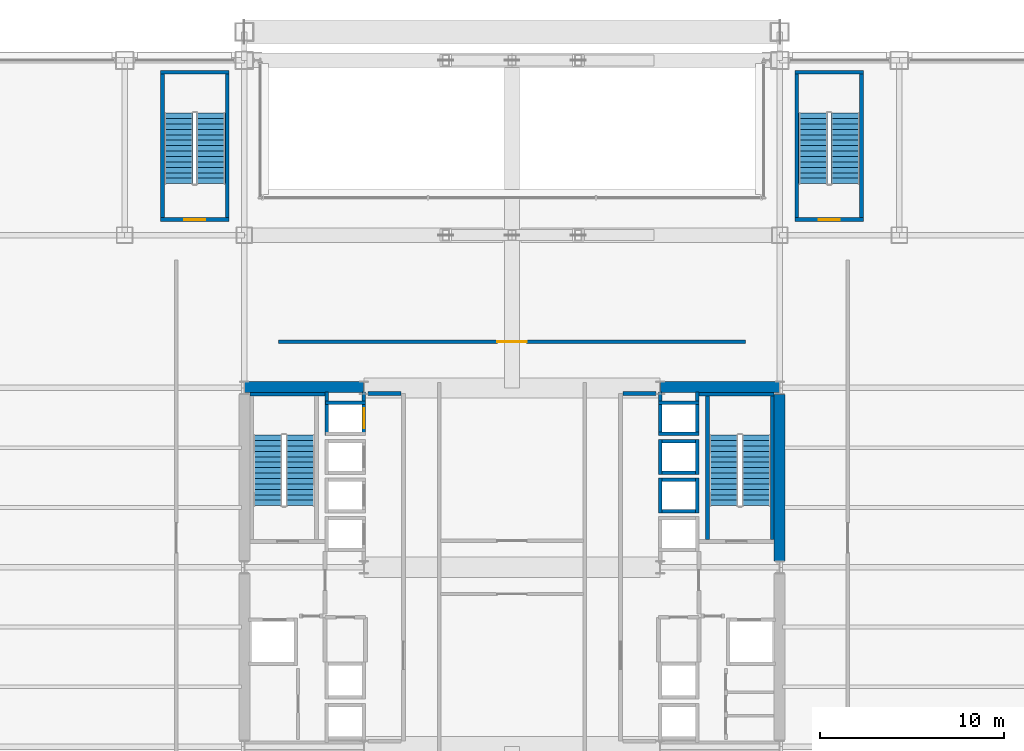
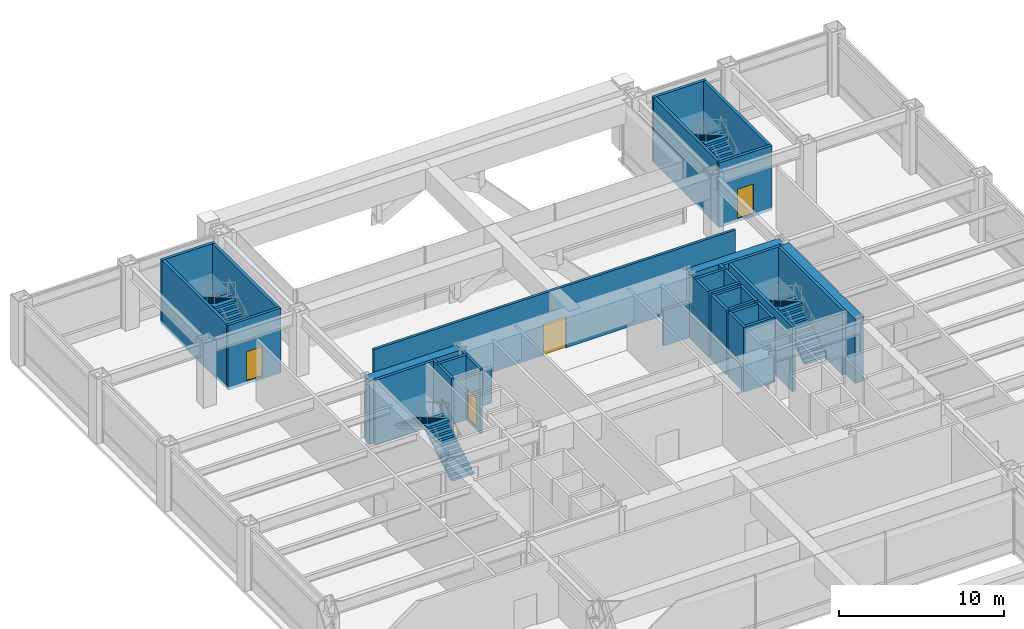
# One storey, part 35 of 37: 33 walls, 8 stair flights, 4 doors, 4 openings, 4 elements without a shape of their own.
"""IFC4 building model written with IfcOpenShell, lengths in metres."""

from ifc_helpers import new_model, si_unit, direction, frame, frame_2d, origin, place, context, subcontext, project, spatial, polyline, rectangle, outline, extrude, material, layer, layer_set, type_object, element, fill, aggregate, save


model = new_model("IFC4")

# Units and contexts
model_context = context("Model", 3, precision=1e-05, world=origin(), true_north=direction((0.0, 1.0)))
body_context = subcontext(model_context, "Body", "Model", "MODEL_VIEW")
ifc_project = project(units=[si_unit("LENGTHUNIT", "METRE"), si_unit("AREAUNIT", "SQUARE_METRE"), si_unit("VOLUMEUNIT", "CUBIC_METRE"), si_unit("PLANEANGLEUNIT", "RADIAN"), si_unit("MASSUNIT", "GRAM", prefix="KILO")], contexts=[model_context])

# Site, building, storey
site_placement = place(None, origin())
site = spatial("IfcSite", under=ifc_project, at=site_placement, CompositionType="ELEMENT")
building_placement = place(site_placement, origin())
building = spatial("IfcBuilding", under=site, at=building_placement, Name="Brelmoor Portico Tower", CompositionType="ELEMENT")
storey_placement = place(building_placement, frame((0.0, 0.0, 14.39990234375)))
storey = spatial("IfcBuildingStorey", under=building, at=storey_placement, Name="L03", CompositionType="ELEMENT", Elevation=14.39990234375)

# Walls
ifc_material_1 = material(Name="Concrete C60", Category="concrete")
ifc_layer_1 = layer(ifc_material_1, 0.60009765625)
ifc_layer_set_1 = layer_set([ifc_layer_1], Name="Concrete C60")
wall_type_1 = type_object("IfcWallType", Name="WL-CORE-600", PredefinedType="SHEAR", material=ifc_layer_set_1)
for number, where, z_axis, x_axis, name in (
    (1, (-14.530029296875, 9.800048828125, -0.219970703125), (0.0, 0.0, 1.0), (1.0, 0.0, 0.0), "L03 WC North Shear Wall"),
    (2, (8.070068359375, 9.800048828125, -0.219970703125), (0.0, 0.0, 1.0), (1.0, 0.0, 0.0), "L03 EC North Shear Wall"),
):
    element("IfcWall", number, at=place(storey_placement, frame(where, z_axis=z_axis, x_axis=x_axis)), inside=storey, type_object=wall_type_1, Name=name, PredefinedType="SHEAR", context=body_context, shape_type="SweptSolid", body=[
        extrude(rectangle(XDim=6.4599609375, YDim=0.60009765625, at=frame_2d((3.22998046875, 0.0))), origin(), (0.0, 0.0, 1.0), 4.800048828125),
    ])
wall_1_placement = place(storey_placement, frame((14.550048828125, 0.35009765625, -0.219970703125), z_axis=(0.0, 0.0, 1.0), x_axis=(0.0, 1.0, 0.0)))
element("IfcWall", 3, at=wall_1_placement, inside=storey, type_object=wall_type_1, Name="L03 EC Outer North Shear Wall", PredefinedType="SHEAR", context=body_context, shape_type="SweptSolid", body=[
    extrude(rectangle(XDim=9.0498046875, YDim=0.60009765625, at=frame_2d((4.52490234375, 0.0))), origin(), (0.0, 0.0, 1.0), 4.800048828125),
])

# Wall, opening, door
ifc_material_2 = material(Name="Acoustic Corridor Fire Partition", Category="gypsum")
ifc_layer_2 = layer(ifc_material_2, 0.179931640625)
ifc_layer_set_2 = layer_set([ifc_layer_2], Name="Acoustic Corridor Fire Partition")
wall_type_2 = type_object("IfcWallType", Name="WL-PART-180", PredefinedType="PARTITIONING", material=ifc_layer_set_2)
wall_2_placement = place(storey_placement, frame((-12.699951171875, 12.25, 0.0), z_axis=(0.0, 0.0, 1.0), x_axis=(1.0, 0.0, 0.0)))
wall_2 = element("IfcWall", 4, at=wall_2_placement, inside=storey, type_object=wall_type_2, Name="L03 North Bridge Exhibition Wall", PredefinedType="PARTITIONING", context=body_context, shape_type="SweptSolid", body=[
    extrude(rectangle(XDim=25.39990234375, YDim=0.179931640625, at=frame_2d((12.699951171875, 0.0))), origin(), (0.0, 0.0, 1.0), 4.580078125),
])
opening_1_placement = place(wall_2_placement, frame((11.89990234375, 0.0, 0.0)))
opening_1 = element("IfcOpeningElement", 5, at=opening_1_placement, cuts=wall_2, Name="Opening D-PB1", PredefinedType="OPENING", context=body_context, shape_type="SweptSolid", body=[
    extrude(rectangle(XDim=1.60009765625, YDim=2.300048828125, at=frame_2d((0.800048828125, 1.14990234375))), frame((0.0, 0.099853515625, 0.0), z_axis=(0.0, -1.0, 0.0), x_axis=(1.0, 0.0, 0.0)), (0.0, 0.0, 1.0), 0.199951171875),
])
ifc_material_3 = material(Name="Double-Leaf Anodised Aluminium Hall Door", Category="aluminium")
door_type_1 = type_object("IfcDoorType", Name="DR-PUBLIC-1600", OperationType="NOTDEFINED", PredefinedType="DOOR", material=ifc_material_3)
door_1_placement = place(opening_1_placement, origin())
door_1 = element("IfcDoor", 6, at=door_1_placement, inside=storey, type_object=door_type_1, Name="D-0168 L03 Public Exhibition Studio Door", OperationType="DOUBLE_DOOR_SINGLE_SWING", OverallHeight=2.300048828125, OverallWidth=1.60009765625, PredefinedType="DOOR", context=body_context, shape_type="SweptSolid", body=[
    extrude(rectangle(XDim=1.60009765625, YDim=2.300048828125, at=frame_2d((0.800048828125, 1.14990234375))), frame((0.0, 0.02490234375, 0.0), z_axis=(0.0, -1.0, 0.0), x_axis=(1.0, 0.0, 0.0)), (0.0, 0.0, 1.0), 0.050048828125),
])
fill(opening_1, door_1)

# Walls
ifc_material_4 = material(Name="Double-Stud Gypsum Fire Partition", Category="gypsum")
ifc_layer_3 = layer(ifc_material_4, 0.199951171875)
ifc_layer_set_3 = layer_set([ifc_layer_3], Name="Double-Stud Gypsum Fire Partition")
wall_type_3 = type_object("IfcWallType", Name="WL-PART-200", PredefinedType="PARTITIONING", material=ifc_layer_set_3)
for number, where, z_axis, x_axis, name in (
    (7, (-6.02001953125, 9.449951171875, 0.0), (0.0, 0.0, 1.0), (-1.0, 0.0, 0.0), "L03 W Lift Lobby North End Wall"),
    (8, (6.02001953125, 9.449951171875, 0.0), (0.0, 0.0, 1.0), (1.0, 0.0, 0.0), "L03 E Lift Lobby North End Wall"),
):
    element("IfcWall", number, at=place(storey_placement, frame(where, z_axis=z_axis, x_axis=x_axis)), inside=storey, type_object=wall_type_3, Name=name, PredefinedType="PARTITIONING", context=body_context, shape_type="SweptSolid", body=[
        extrude(rectangle(XDim=1.800048828125, YDim=0.199951171875, at=frame_2d((0.89990234375, 0.0))), origin(), (0.0, 0.0, 1.0), 2.630126953125),
    ])

# Wall, opening, door
ifc_material_5 = material(Name="Precast Concrete C40", Category="concrete")
ifc_layer_4 = layer(ifc_material_5, 0.18994140625)
ifc_layer_set_4 = layer_set([ifc_layer_4], Name="Precast Concrete C40")
wall_type_4 = type_object("IfcWallType", Name="WL-SHAFT-180", PredefinedType="SOLIDWALL", material=ifc_layer_set_4)
wall_3_placement = place(storey_placement, frame((-8.044921875, 7.14990234375, -0.219970703125), z_axis=(0.0, 0.0, 1.0), x_axis=(0.0, 1.0, 0.0)))
wall_3 = element("IfcWall", 9, at=wall_3_placement, inside=storey, type_object=wall_type_4, Name="L03 Lift PL4 Hoistway Front Wall", PredefinedType="SOLIDWALL", context=body_context, shape_type="SweptSolid", body=[
    extrude(rectangle(XDim=2.3701171875, YDim=0.18994140625, at=frame_2d((1.18505859375, 0.0))), origin(), (0.0, 0.0, 1.0), 4.800048828125),
])
opening_2_placement = place(wall_3_placement, frame((0.39990234375, 0.0, 0.219970703125)))
opening_2 = element("IfcOpeningElement", 10, at=opening_2_placement, cuts=wall_3, Name="Opening LD-01", PredefinedType="OPENING", context=body_context, shape_type="SweptSolid", body=[
    extrude(rectangle(XDim=1.10009765625, YDim=2.199951171875, at=frame_2d((0.550048828125, 1.10009765625))), frame((0.0, 0.10498046875, 0.0), z_axis=(0.0, -1.0, 0.0), x_axis=(1.0, 0.0, 0.0)), (0.0, 0.0, 1.0), 0.2099609375),
])
ifc_material_6 = material(Name="Brushed Stainless Steel Sliding Lift Door", Category="steel")
door_type_2 = type_object("IfcDoorType", Name="DR-LIFT-1100", OperationType="NOTDEFINED", PredefinedType="DOOR", material=ifc_material_6)
door_2_placement = place(opening_2_placement, origin())
door_2 = element("IfcDoor", 11, at=door_2_placement, inside=storey, type_object=door_type_2, Name="D-0195 L03 Lift PL4 Sliding Landing Door", OperationType="SLIDING_TO_LEFT", OverallHeight=2.199951171875, OverallWidth=1.10009765625, PredefinedType="DOOR", context=body_context, shape_type="SweptSolid", body=[
    extrude(rectangle(XDim=1.10009765625, YDim=2.199951171875, at=frame_2d((0.550048828125, 1.10009765625))), frame((0.0, 0.02490234375, 0.0), z_axis=(0.0, -1.0, 0.0), x_axis=(1.0, 0.0, 0.0)), (0.0, 0.0, 1.0), 0.050048828125),
])
fill(opening_2, door_2)

# Walls
wall_4_placement = place(storey_placement, frame((-10.054931640625, 7.14990234375, -0.219970703125), z_axis=(0.0, 0.0, 1.0), x_axis=(0.0, 1.0, 0.0)))
element("IfcWall", 12, at=wall_4_placement, inside=storey, type_object=wall_type_4, Name="L03 Lift PL4 Hoistway Back Wall", PredefinedType="SOLIDWALL", context=body_context, shape_type="SweptSolid", body=[
    extrude(rectangle(XDim=2.3701171875, YDim=0.18994140625, at=frame_2d((1.18505859375, 0.0))), origin(), (0.0, 0.0, 1.0), 4.800048828125),
])
wall_5_placement = place(storey_placement, frame((-10.14990234375, 8.955078125, -0.219970703125), z_axis=(0.0, 0.0, 1.0), x_axis=(1.0, 0.0, 0.0)))
element("IfcWall", 13, at=wall_5_placement, inside=storey, type_object=wall_type_4, Name="L03 Lift PL4 Hoistway North Wall", PredefinedType="SOLIDWALL", context=body_context, shape_type="SweptSolid", body=[
    extrude(rectangle(XDim=2.199951171875, YDim=0.18994140625, at=frame_2d((1.10009765625, 0.0))), origin(), (0.0, 0.0, 1.0), 4.800048828125),
])
for number, where, z_axis, x_axis, name in (
    (14, (8.044921875, 2.949951171875, -0.219970703125), (0.0, 0.0, 1.0), (0.0, 1.0, 0.0), "L03 Lift PM2 Hoistway Front Wall"),
    (15, (10.054931640625, 2.949951171875, -0.219970703125), (0.0, 0.0, 1.0), (0.0, 1.0, 0.0), "L03 Lift PM2 Hoistway Back Wall"),
):
    element("IfcWall", number, at=place(storey_placement, frame(where, z_axis=z_axis, x_axis=x_axis)), inside=storey, type_object=wall_type_4, Name=name, PredefinedType="SOLIDWALL", context=body_context, shape_type="SweptSolid", body=[
        extrude(rectangle(XDim=1.900146484375, YDim=0.18994140625, at=frame_2d((0.9501953125, 0.0))), origin(), (0.0, 0.0, 1.0), 4.800048828125),
    ])
for number, where, z_axis, x_axis, name in (
    (16, (7.949951171875, 4.7548828125, -0.219970703125), (0.0, 0.0, 1.0), (1.0, 0.0, 0.0), "L03 Lift PM2 Hoistway North Wall"),
    (17, (7.949951171875, 3.044921875, -0.219970703125), (0.0, 0.0, 1.0), (1.0, 0.0, 0.0), "L03 Lift PM2 Hoistway South Wall"),
):
    element("IfcWall", number, at=place(storey_placement, frame(where, z_axis=z_axis, x_axis=x_axis)), inside=storey, type_object=wall_type_4, Name=name, PredefinedType="SOLIDWALL", context=body_context, shape_type="SweptSolid", body=[
        extrude(rectangle(XDim=2.199951171875, YDim=0.18994140625, at=frame_2d((1.10009765625, 0.0))), origin(), (0.0, 0.0, 1.0), 4.800048828125),
    ])
for number, where, z_axis, x_axis, name in (
    (18, (8.044921875, 5.050048828125, -0.219970703125), (0.0, 0.0, 1.0), (0.0, 1.0, 0.0), "L03 Lift PM3 Hoistway Front Wall"),
    (19, (10.054931640625, 5.050048828125, -0.219970703125), (0.0, 0.0, 1.0), (0.0, 1.0, 0.0), "L03 Lift PM3 Hoistway Back Wall"),
):
    element("IfcWall", number, at=place(storey_placement, frame(where, z_axis=z_axis, x_axis=x_axis)), inside=storey, type_object=wall_type_4, Name=name, PredefinedType="SOLIDWALL", context=body_context, shape_type="SweptSolid", body=[
        extrude(rectangle(XDim=1.89990234375, YDim=0.18994140625, at=frame_2d((0.949951171875, 0.0))), origin(), (0.0, 0.0, 1.0), 4.800048828125),
    ])
for number, where, z_axis, x_axis, name in (
    (20, (7.949951171875, 6.85498046875, -0.219970703125), (0.0, 0.0, 1.0), (1.0, 0.0, 0.0), "L03 Lift PM3 Hoistway North Wall"),
    (21, (7.949951171875, 5.14501953125, -0.219970703125), (0.0, 0.0, 1.0), (1.0, 0.0, 0.0), "L03 Lift PM3 Hoistway South Wall"),
):
    element("IfcWall", number, at=place(storey_placement, frame(where, z_axis=z_axis, x_axis=x_axis)), inside=storey, type_object=wall_type_4, Name=name, PredefinedType="SOLIDWALL", context=body_context, shape_type="SweptSolid", body=[
        extrude(rectangle(XDim=2.199951171875, YDim=0.18994140625, at=frame_2d((1.10009765625, 0.0))), origin(), (0.0, 0.0, 1.0), 4.800048828125),
    ])
for number, where, z_axis, x_axis, name in (
    (22, (8.044921875, 7.14990234375, -0.219970703125), (0.0, 0.0, 1.0), (0.0, 1.0, 0.0), "L03 Lift PM4 Hoistway Front Wall"),
    (23, (10.054931640625, 7.14990234375, -0.219970703125), (0.0, 0.0, 1.0), (0.0, 1.0, 0.0), "L03 Lift PM4 Hoistway Back Wall"),
):
    element("IfcWall", number, at=place(storey_placement, frame(where, z_axis=z_axis, x_axis=x_axis)), inside=storey, type_object=wall_type_4, Name=name, PredefinedType="SOLIDWALL", context=body_context, shape_type="SweptSolid", body=[
        extrude(rectangle(XDim=2.3701171875, YDim=0.18994140625, at=frame_2d((1.18505859375, 0.0))), origin(), (0.0, 0.0, 1.0), 4.800048828125),
    ])
for number, where, z_axis, x_axis, name in (
    (24, (7.949951171875, 8.955078125, -0.219970703125), (0.0, 0.0, 1.0), (1.0, 0.0, 0.0), "L03 Lift PM4 Hoistway North Wall"),
    (25, (7.949951171875, 7.2451171875, -0.219970703125), (0.0, 0.0, 1.0), (1.0, 0.0, 0.0), "L03 Lift PM4 Hoistway South Wall"),
):
    element("IfcWall", number, at=place(storey_placement, frame(where, z_axis=z_axis, x_axis=x_axis)), inside=storey, type_object=wall_type_4, Name=name, PredefinedType="SOLIDWALL", context=body_context, shape_type="SweptSolid", body=[
        extrude(rectangle(XDim=2.199951171875, YDim=0.18994140625, at=frame_2d((1.10009765625, 0.0))), origin(), (0.0, 0.0, 1.0), 4.800048828125),
    ])
ifc_material_7 = material(Name="Concrete C40", Category="concrete")
ifc_layer_5 = layer(ifc_material_7, 0.199951171875)
ifc_layer_set_5 = layer_set([ifc_layer_5], Name="Concrete C40")
wall_type_5 = type_object("IfcWallType", Name="WL-SHAFT-RC200", PredefinedType="SOLIDWALL", material=ifc_layer_set_5)
wall_6_placement = place(storey_placement, frame((14.14990234375, 1.5, -0.219970703125), z_axis=(0.0, 0.0, 1.0), x_axis=(0.0, 1.0, 0.0)))
element("IfcWall", 26, at=wall_6_placement, inside=storey, type_object=wall_type_5, Name="L03 ST-E Structural Stair Wall Outer", PredefinedType="SOLIDWALL", context=body_context, shape_type="SweptSolid", body=[
    extrude(rectangle(XDim=7.800048828125, YDim=0.199951171875, at=frame_2d((3.89990234375, 0.0))), origin(), (0.0, 0.0, 1.0), 4.800048828125),
])
for number, where, z_axis, x_axis, name in (
    (27, (-14.25, 9.39990234375, -0.219970703125), (0.0, 0.0, 1.0), (1.0, 0.0, 0.0), "L03 ST-W Structural Stair Wall N"),
    (28, (10.14990234375, 9.39990234375, -0.219970703125), (0.0, 0.0, 1.0), (1.0, 0.0, 0.0), "L03 ST-E Structural Stair Wall N"),
):
    element("IfcWall", number, at=place(storey_placement, frame(where, z_axis=z_axis, x_axis=x_axis)), inside=storey, type_object=wall_type_5, Name=name, PredefinedType="SOLIDWALL", context=body_context, shape_type="SweptSolid", body=[
        extrude(rectangle(XDim=4.10009765625, YDim=0.199951171875, at=frame_2d((2.050048828125, 0.0))), origin(), (0.0, 0.0, 1.0), 4.800048828125),
    ])
wall_7_placement = place(storey_placement, frame((10.6298828125, 1.5, -0.219970703125), z_axis=(0.0, 0.0, 1.0), x_axis=(0.0, 1.0, 0.0)))
element("IfcWall", 29, at=wall_7_placement, inside=storey, type_object=wall_type_5, Name="L03 ST-E Structural Stair Wall Inner", PredefinedType="SOLIDWALL", context=body_context, shape_type="SweptSolid", body=[
    extrude(rectangle(XDim=7.800048828125, YDim=0.199951171875, at=frame_2d((3.89990234375, 0.0))), origin(), (0.0, 0.0, 1.0), 4.800048828125),
])

# Wall, opening, door
wall_8_placement = place(storey_placement, frame((-19.10009765625, 18.89990234375, -0.219970703125), z_axis=(0.0, 0.0, 1.0), x_axis=(1.0, 0.0, 0.0)))
wall_8 = element("IfcWall", 30, at=wall_8_placement, inside=storey, type_object=wall_type_5, Name="L03 ST-P1 Structural Stair Wall S", PredefinedType="SOLIDWALL", context=body_context, shape_type="SweptSolid", body=[
    extrude(rectangle(XDim=3.72021484375, YDim=0.199951171875, at=frame_2d((1.860107421875, 0.0))), origin(), (0.0, 0.0, 1.0), 4.800048828125),
])
opening_3_placement = place(wall_8_placement, frame((1.300048828125, 0.0, 0.219970703125)))
opening_3 = element("IfcOpeningElement", 31, at=opening_3_placement, cuts=wall_8, Name="Opening D-ST1", PredefinedType="OPENING", context=body_context, shape_type="SweptSolid", body=[
    extrude(rectangle(XDim=1.1201171875, YDim=2.179931640625, at=frame_2d((0.56005859375, 1.08984375))), frame((0.0, 0.10986328125, 0.0), z_axis=(0.0, -1.0, 0.0), x_axis=(1.0, 0.0, 0.0)), (0.0, 0.0, 1.0), 0.219970703125),
])
ifc_material_8 = material(Name="Painted Galvanised Steel Fire Door", Category="steel")
door_type_3 = type_object("IfcDoorType", Name="DR-STAIR-1100", OperationType="NOTDEFINED", PredefinedType="DOOR", material=ifc_material_8)
door_3_placement = place(opening_3_placement, origin())
door_3 = element("IfcDoor", 32, at=door_3_placement, inside=storey, type_object=door_type_3, Name="D-0187 L03 ST-P1 Podium Exit Stair Door", OperationType="SINGLE_SWING_LEFT", OverallHeight=2.179931640625, OverallWidth=1.1201171875, PredefinedType="DOOR", context=body_context, shape_type="SweptSolid", body=[
    extrude(rectangle(XDim=1.1201171875, YDim=2.179931640625, at=frame_2d((0.56005859375, 1.08984375))), frame((0.0, 0.02490234375, 0.0), z_axis=(0.0, -1.0, 0.0), x_axis=(1.0, 0.0, 0.0)), (0.0, 0.0, 1.0), 0.050048828125),
])
fill(opening_3, door_3)

# Walls
wall_9_placement = place(storey_placement, frame((-19.10009765625, 26.89990234375, -0.219970703125), z_axis=(0.0, 0.0, 1.0), x_axis=(1.0, 0.0, 0.0)))
element("IfcWall", 33, at=wall_9_placement, inside=storey, type_object=wall_type_5, Name="L03 ST-P1 Structural Stair Wall N", PredefinedType="SOLIDWALL", context=body_context, shape_type="SweptSolid", body=[
    extrude(rectangle(XDim=3.72021484375, YDim=0.199951171875, at=frame_2d((1.860107421875, 0.0))), origin(), (0.0, 0.0, 1.0), 4.800048828125),
])
for number, where, z_axis, x_axis, name in (
    (34, (-19.0, 19.0, -0.219970703125), (0.0, 0.0, 1.0), (0.0, 1.0, 0.0), "L03 ST-P1 Structural Stair Wall W"),
    (35, (-15.47998046875, 19.0, -0.219970703125), (0.0, 0.0, 1.0), (0.0, 1.0, 0.0), "L03 ST-P1 Structural Stair Wall E"),
):
    element("IfcWall", number, at=place(storey_placement, frame(where, z_axis=z_axis, x_axis=x_axis)), inside=storey, type_object=wall_type_5, Name=name, PredefinedType="SOLIDWALL", context=body_context, shape_type="SweptSolid", body=[
        extrude(rectangle(XDim=7.800048828125, YDim=0.199951171875, at=frame_2d((3.89990234375, 0.0))), origin(), (0.0, 0.0, 1.0), 4.800048828125),
    ])

# Wall, opening, door
wall_10_placement = place(storey_placement, frame((15.3798828125, 18.89990234375, -0.219970703125), z_axis=(0.0, 0.0, 1.0), x_axis=(1.0, 0.0, 0.0)))
wall_10 = element("IfcWall", 36, at=wall_10_placement, inside=storey, type_object=wall_type_5, Name="L03 ST-P2 Structural Stair Wall S", PredefinedType="SOLIDWALL", context=body_context, shape_type="SweptSolid", body=[
    extrude(rectangle(XDim=3.72021484375, YDim=0.199951171875, at=frame_2d((1.860107421875, 0.0))), origin(), (0.0, 0.0, 1.0), 4.800048828125),
])
opening_4_placement = place(wall_10_placement, frame((1.300048828125, 0.0, 0.219970703125)))
opening_4 = element("IfcOpeningElement", 37, at=opening_4_placement, cuts=wall_10, Name="Opening D-ST1", PredefinedType="OPENING", context=body_context, shape_type="SweptSolid", body=[
    extrude(rectangle(XDim=1.1201171875, YDim=2.179931640625, at=frame_2d((0.56005859375, 1.08984375))), frame((0.0, 0.10986328125, 0.0), z_axis=(0.0, -1.0, 0.0), x_axis=(1.0, 0.0, 0.0)), (0.0, 0.0, 1.0), 0.219970703125),
])
door_4_placement = place(opening_4_placement, origin())
door_4 = element("IfcDoor", 38, at=door_4_placement, inside=storey, type_object=door_type_3, Name="D-0188 L03 ST-P2 Podium Exit Stair Door", OperationType="SINGLE_SWING_RIGHT", OverallHeight=2.179931640625, OverallWidth=1.1201171875, PredefinedType="DOOR", context=body_context, shape_type="SweptSolid", body=[
    extrude(rectangle(XDim=1.1201171875, YDim=2.179931640625, at=frame_2d((0.56005859375, 1.08984375))), frame((0.0, 0.02490234375, 0.0), z_axis=(0.0, -1.0, 0.0), x_axis=(1.0, 0.0, 0.0)), (0.0, 0.0, 1.0), 0.050048828125),
])
fill(opening_4, door_4)

# Walls
wall_11_placement = place(storey_placement, frame((15.3798828125, 26.89990234375, -0.219970703125), z_axis=(0.0, 0.0, 1.0), x_axis=(1.0, 0.0, 0.0)))
element("IfcWall", 39, at=wall_11_placement, inside=storey, type_object=wall_type_5, Name="L03 ST-P2 Structural Stair Wall N", PredefinedType="SOLIDWALL", context=body_context, shape_type="SweptSolid", body=[
    extrude(rectangle(XDim=3.72021484375, YDim=0.199951171875, at=frame_2d((1.860107421875, 0.0))), origin(), (0.0, 0.0, 1.0), 4.800048828125),
])
for number, where, z_axis, x_axis, name in (
    (40, (15.47998046875, 19.0, -0.219970703125), (0.0, 0.0, 1.0), (0.0, 1.0, 0.0), "L03 ST-P2 Structural Stair Wall W"),
    (41, (19.0, 19.0, -0.219970703125), (0.0, 0.0, 1.0), (0.0, 1.0, 0.0), "L03 ST-P2 Structural Stair Wall E"),
):
    element("IfcWall", number, at=place(storey_placement, frame(where, z_axis=z_axis, x_axis=x_axis)), inside=storey, type_object=wall_type_5, Name=name, PredefinedType="SOLIDWALL", context=body_context, shape_type="SweptSolid", body=[
        extrude(rectangle(XDim=7.800048828125, YDim=0.199951171875, at=frame_2d((3.89990234375, 0.0))), origin(), (0.0, 0.0, 1.0), 4.800048828125),
    ])

# Stair, stair flights
stair_type_1 = type_object("IfcStairType", Name="ST-CORE-W", PredefinedType="HALF_TURN_STAIR", material=ifc_material_7)
stair_1_placement = place(storey_placement, origin())
stair_1 = element("IfcStair", 42, at=stair_1_placement, inside=storey, type_object=stair_type_1, Name="L03 Protected Core Exit Stair ST-W", PredefinedType="HALF_TURN_STAIR")
stair_flight_type = type_object("IfcStairFlightType", Name="SF-CORE-1850", PredefinedType="STRAIGHT", material=ifc_material_7)
stair_flight_1_placement = place(storey_placement, frame((-11.510009765625, 3.35009765625, 0.0), z_axis=(0.0, 0.0, 1.0), x_axis=(0.0, 1.0, 0.0)))
stair_flight_1 = element("IfcStairFlight", 43, at=stair_flight_1_placement, type_object=stair_flight_type, Name="ST-W flight 1", NumberOfRisers=14, NumberOfTreads=13, PredefinedType="STRAIGHT", RiserHeight=0.171428571, TreadLength=0.295, context=body_context, shape_type="SweptSolid", body=[
    extrude(outline(polyline([(0.0, 0.0), (0.0, 0.17138671875), (0.294921875, 0.17138671875), (0.294921875, 0.3427734375), (0.590087890625, 0.3427734375), (0.590087890625, 0.514404296875), (0.885009765625, 0.514404296875), (0.885009765625, 0.685791015625), (1.179931640625, 0.685791015625), (1.179931640625, 0.857177734375), (1.47509765625, 0.857177734375), (1.47509765625, 1.028564453125), (1.77001953125, 1.028564453125), (1.77001953125, 1.199951171875), (2.06494140625, 1.199951171875), (2.06494140625, 1.371337890625), (2.360107421875, 1.371337890625), (2.360107421875, 1.54296875), (2.655029296875, 1.54296875), (2.655029296875, 1.71435546875), (2.949951171875, 1.71435546875), (2.949951171875, 1.8857421875), (3.2451171875, 1.8857421875), (3.2451171875, 2.05712890625), (3.5400390625, 2.05712890625), (3.5400390625, 2.228515625), (3.8349609375, 2.228515625), (3.8349609375, 2.39990234375), (3.8349609375, 2.05517578125), (0.29833984375, 0.0), (0.0, 0.0)])), frame((0.0, 0.780029296875, 0.0), z_axis=(0.0, -1.0, 0.0), x_axis=(1.0, 0.0, 0.0)), (0.0, 0.0, 1.0), 1.56005859375),
])
stair_flight_2_placement = place(storey_placement, frame((-13.27001953125, 7.18505859375, 2.400146484375), z_axis=(0.0, 0.0, 1.0), x_axis=(0.0, -1.0, 0.0)))
stair_flight_2 = element("IfcStairFlight", 44, at=stair_flight_2_placement, type_object=stair_flight_type, Name="ST-W flight 2", NumberOfRisers=14, NumberOfTreads=13, PredefinedType="STRAIGHT", RiserHeight=0.171428571, TreadLength=0.295, context=body_context, shape_type="SweptSolid", body=[
    extrude(outline(polyline([(0.0, 0.0), (0.0, 0.17138671875), (0.294921875, 0.17138671875), (0.294921875, 0.3427734375), (0.590087890625, 0.3427734375), (0.590087890625, 0.514404296875), (0.885009765625, 0.514404296875), (0.885009765625, 0.685791015625), (1.179931640625, 0.685791015625), (1.179931640625, 0.857177734375), (1.47509765625, 0.857177734375), (1.47509765625, 1.028564453125), (1.77001953125, 1.028564453125), (1.77001953125, 1.199951171875), (2.06494140625, 1.199951171875), (2.06494140625, 1.371337890625), (2.360107421875, 1.371337890625), (2.360107421875, 1.54296875), (2.655029296875, 1.54296875), (2.655029296875, 1.71435546875), (2.949951171875, 1.71435546875), (2.949951171875, 1.8857421875), (3.2451171875, 1.8857421875), (3.2451171875, 2.05712890625), (3.5400390625, 2.05712890625), (3.5400390625, 2.228515625), (3.8349609375, 2.228515625), (3.8349609375, 2.39990234375), (3.8349609375, 2.05517578125), (0.29833984375, 0.0), (0.0, 0.0)])), frame((0.0, 0.780029296875, 0.0), z_axis=(0.0, -1.0, 0.0), x_axis=(1.0, 0.0, 0.0)), (0.0, 0.0, 1.0), 1.56005859375),
])
aggregate(stair_1, [stair_flight_1, stair_flight_2])

stair_type_2 = type_object("IfcStairType", Name="ST-CORE-E", PredefinedType="HALF_TURN_STAIR", material=ifc_material_7)
stair_2_placement = place(storey_placement, origin())
stair_2 = element("IfcStair", 45, at=stair_2_placement, inside=storey, type_object=stair_type_2, Name="L03 Protected Core Exit Stair ST-E", PredefinedType="HALF_TURN_STAIR")
stair_flight_3_placement = place(storey_placement, frame((13.27001953125, 3.35009765625, 0.0), z_axis=(0.0, 0.0, 1.0), x_axis=(0.0, 1.0, 0.0)))
stair_flight_3 = element("IfcStairFlight", 46, at=stair_flight_3_placement, type_object=stair_flight_type, Name="ST-E flight 1", NumberOfRisers=14, NumberOfTreads=13, PredefinedType="STRAIGHT", RiserHeight=0.171428571, TreadLength=0.295, context=body_context, shape_type="SweptSolid", body=[
    extrude(outline(polyline([(0.0, 0.0), (0.0, 0.17138671875), (0.294921875, 0.17138671875), (0.294921875, 0.3427734375), (0.590087890625, 0.3427734375), (0.590087890625, 0.514404296875), (0.885009765625, 0.514404296875), (0.885009765625, 0.685791015625), (1.179931640625, 0.685791015625), (1.179931640625, 0.857177734375), (1.47509765625, 0.857177734375), (1.47509765625, 1.028564453125), (1.77001953125, 1.028564453125), (1.77001953125, 1.199951171875), (2.06494140625, 1.199951171875), (2.06494140625, 1.371337890625), (2.360107421875, 1.371337890625), (2.360107421875, 1.54296875), (2.655029296875, 1.54296875), (2.655029296875, 1.71435546875), (2.949951171875, 1.71435546875), (2.949951171875, 1.8857421875), (3.2451171875, 1.8857421875), (3.2451171875, 2.05712890625), (3.5400390625, 2.05712890625), (3.5400390625, 2.228515625), (3.8349609375, 2.228515625), (3.8349609375, 2.39990234375), (3.8349609375, 2.05517578125), (0.29833984375, 0.0), (0.0, 0.0)])), frame((0.0, 0.780029296875, 0.0), z_axis=(0.0, -1.0, 0.0), x_axis=(1.0, 0.0, 0.0)), (0.0, 0.0, 1.0), 1.56005859375),
])
stair_flight_4_placement = place(storey_placement, frame((11.510009765625, 7.18505859375, 2.400146484375), z_axis=(0.0, 0.0, 1.0), x_axis=(0.0, -1.0, 0.0)))
stair_flight_4 = element("IfcStairFlight", 47, at=stair_flight_4_placement, type_object=stair_flight_type, Name="ST-E flight 2", NumberOfRisers=14, NumberOfTreads=13, PredefinedType="STRAIGHT", RiserHeight=0.171428571, TreadLength=0.295, context=body_context, shape_type="SweptSolid", body=[
    extrude(outline(polyline([(0.0, 0.0), (0.0, 0.17138671875), (0.294921875, 0.17138671875), (0.294921875, 0.3427734375), (0.590087890625, 0.3427734375), (0.590087890625, 0.514404296875), (0.885009765625, 0.514404296875), (0.885009765625, 0.685791015625), (1.179931640625, 0.685791015625), (1.179931640625, 0.857177734375), (1.47509765625, 0.857177734375), (1.47509765625, 1.028564453125), (1.77001953125, 1.028564453125), (1.77001953125, 1.199951171875), (2.06494140625, 1.199951171875), (2.06494140625, 1.371337890625), (2.360107421875, 1.371337890625), (2.360107421875, 1.54296875), (2.655029296875, 1.54296875), (2.655029296875, 1.71435546875), (2.949951171875, 1.71435546875), (2.949951171875, 1.8857421875), (3.2451171875, 1.8857421875), (3.2451171875, 2.05712890625), (3.5400390625, 2.05712890625), (3.5400390625, 2.228515625), (3.8349609375, 2.228515625), (3.8349609375, 2.39990234375), (3.8349609375, 2.05517578125), (0.29833984375, 0.0), (0.0, 0.0)])), frame((0.0, 0.780029296875, 0.0), z_axis=(0.0, -1.0, 0.0), x_axis=(1.0, 0.0, 0.0)), (0.0, 0.0, 1.0), 1.56005859375),
])
aggregate(stair_2, [stair_flight_3, stair_flight_4])

stair_type_3 = type_object("IfcStairType", Name="ST-POD-P1", PredefinedType="HALF_TURN_STAIR", material=ifc_material_7)
stair_3_placement = place(storey_placement, origin())
stair_3 = element("IfcStair", 48, at=stair_3_placement, inside=storey, type_object=stair_type_3, Name="L03 Podium Protected Exit Stair ST-P1", PredefinedType="HALF_TURN_STAIR")
stair_flight_5_placement = place(storey_placement, frame((-16.360107421875, 20.85009765625, 0.0), z_axis=(0.0, 0.0, 1.0), x_axis=(0.0, 1.0, 0.0)))
stair_flight_5 = element("IfcStairFlight", 49, at=stair_flight_5_placement, type_object=stair_flight_type, Name="ST-P1 flight 1", NumberOfRisers=14, NumberOfTreads=13, PredefinedType="STRAIGHT", RiserHeight=0.171428571, TreadLength=0.295, context=body_context, shape_type="SweptSolid", body=[
    extrude(outline(polyline([(0.0, 0.0), (0.0, 0.17138671875), (0.294921875, 0.17138671875), (0.294921875, 0.3427734375), (0.590087890625, 0.3427734375), (0.590087890625, 0.514404296875), (0.885009765625, 0.514404296875), (0.885009765625, 0.685791015625), (1.179931640625, 0.685791015625), (1.179931640625, 0.857177734375), (1.47509765625, 0.857177734375), (1.47509765625, 1.028564453125), (1.77001953125, 1.028564453125), (1.77001953125, 1.199951171875), (2.06494140625, 1.199951171875), (2.06494140625, 1.371337890625), (2.360107421875, 1.371337890625), (2.360107421875, 1.54296875), (2.655029296875, 1.54296875), (2.655029296875, 1.71435546875), (2.949951171875, 1.71435546875), (2.949951171875, 1.8857421875), (3.2451171875, 1.8857421875), (3.2451171875, 2.05712890625), (3.5400390625, 2.05712890625), (3.5400390625, 2.228515625), (3.8349609375, 2.228515625), (3.8349609375, 2.39990234375), (3.8349609375, 2.05517578125), (0.29833984375, 0.0), (0.0, 0.0)])), frame((0.0, 0.780029296875, 0.0), z_axis=(0.0, -1.0, 0.0), x_axis=(1.0, 0.0, 0.0)), (0.0, 0.0, 1.0), 1.56005859375),
])
stair_flight_6_placement = place(storey_placement, frame((-18.1201171875, 24.68505859375, 2.400146484375), z_axis=(0.0, 0.0, 1.0), x_axis=(0.0, -1.0, 0.0)))
stair_flight_6 = element("IfcStairFlight", 50, at=stair_flight_6_placement, type_object=stair_flight_type, Name="ST-P1 flight 2", NumberOfRisers=14, NumberOfTreads=13, PredefinedType="STRAIGHT", RiserHeight=0.171428571, TreadLength=0.295, context=body_context, shape_type="SweptSolid", body=[
    extrude(outline(polyline([(0.0, 0.0), (0.0, 0.17138671875), (0.294921875, 0.17138671875), (0.294921875, 0.3427734375), (0.590087890625, 0.3427734375), (0.590087890625, 0.514404296875), (0.885009765625, 0.514404296875), (0.885009765625, 0.685791015625), (1.179931640625, 0.685791015625), (1.179931640625, 0.857177734375), (1.47509765625, 0.857177734375), (1.47509765625, 1.028564453125), (1.77001953125, 1.028564453125), (1.77001953125, 1.199951171875), (2.06494140625, 1.199951171875), (2.06494140625, 1.371337890625), (2.360107421875, 1.371337890625), (2.360107421875, 1.54296875), (2.655029296875, 1.54296875), (2.655029296875, 1.71435546875), (2.949951171875, 1.71435546875), (2.949951171875, 1.8857421875), (3.2451171875, 1.8857421875), (3.2451171875, 2.05712890625), (3.5400390625, 2.05712890625), (3.5400390625, 2.228515625), (3.8349609375, 2.228515625), (3.8349609375, 2.39990234375), (3.8349609375, 2.05517578125), (0.29833984375, 0.0), (0.0, 0.0)])), frame((0.0, 0.780029296875, 0.0), z_axis=(0.0, -1.0, 0.0), x_axis=(1.0, 0.0, 0.0)), (0.0, 0.0, 1.0), 1.56005859375),
])
aggregate(stair_3, [stair_flight_5, stair_flight_6])

stair_type_4 = type_object("IfcStairType", Name="ST-POD-P2", PredefinedType="HALF_TURN_STAIR", material=ifc_material_7)
stair_4_placement = place(storey_placement, origin())
stair_4 = element("IfcStair", 51, at=stair_4_placement, inside=storey, type_object=stair_type_4, Name="L03 Podium Protected Exit Stair ST-P2", PredefinedType="HALF_TURN_STAIR")
stair_flight_7_placement = place(storey_placement, frame((18.1201171875, 20.85009765625, 0.0), z_axis=(0.0, 0.0, 1.0), x_axis=(0.0, 1.0, 0.0)))
stair_flight_7 = element("IfcStairFlight", 52, at=stair_flight_7_placement, type_object=stair_flight_type, Name="ST-P2 flight 1", NumberOfRisers=14, NumberOfTreads=13, PredefinedType="STRAIGHT", RiserHeight=0.171428571, TreadLength=0.295, context=body_context, shape_type="SweptSolid", body=[
    extrude(outline(polyline([(0.0, 0.0), (0.0, 0.17138671875), (0.294921875, 0.17138671875), (0.294921875, 0.3427734375), (0.590087890625, 0.3427734375), (0.590087890625, 0.514404296875), (0.885009765625, 0.514404296875), (0.885009765625, 0.685791015625), (1.179931640625, 0.685791015625), (1.179931640625, 0.857177734375), (1.47509765625, 0.857177734375), (1.47509765625, 1.028564453125), (1.77001953125, 1.028564453125), (1.77001953125, 1.199951171875), (2.06494140625, 1.199951171875), (2.06494140625, 1.371337890625), (2.360107421875, 1.371337890625), (2.360107421875, 1.54296875), (2.655029296875, 1.54296875), (2.655029296875, 1.71435546875), (2.949951171875, 1.71435546875), (2.949951171875, 1.8857421875), (3.2451171875, 1.8857421875), (3.2451171875, 2.05712890625), (3.5400390625, 2.05712890625), (3.5400390625, 2.228515625), (3.8349609375, 2.228515625), (3.8349609375, 2.39990234375), (3.8349609375, 2.05517578125), (0.29833984375, 0.0), (0.0, 0.0)])), frame((0.0, 0.780029296875, 0.0), z_axis=(0.0, -1.0, 0.0), x_axis=(1.0, 0.0, 0.0)), (0.0, 0.0, 1.0), 1.56005859375),
])
stair_flight_8_placement = place(storey_placement, frame((16.360107421875, 24.68505859375, 2.400146484375), z_axis=(0.0, 0.0, 1.0), x_axis=(0.0, -1.0, 0.0)))
stair_flight_8 = element("IfcStairFlight", 53, at=stair_flight_8_placement, type_object=stair_flight_type, Name="ST-P2 flight 2", NumberOfRisers=14, NumberOfTreads=13, PredefinedType="STRAIGHT", RiserHeight=0.171428571, TreadLength=0.295, context=body_context, shape_type="SweptSolid", body=[
    extrude(outline(polyline([(0.0, 0.0), (0.0, 0.17138671875), (0.294921875, 0.17138671875), (0.294921875, 0.3427734375), (0.590087890625, 0.3427734375), (0.590087890625, 0.514404296875), (0.885009765625, 0.514404296875), (0.885009765625, 0.685791015625), (1.179931640625, 0.685791015625), (1.179931640625, 0.857177734375), (1.47509765625, 0.857177734375), (1.47509765625, 1.028564453125), (1.77001953125, 1.028564453125), (1.77001953125, 1.199951171875), (2.06494140625, 1.199951171875), (2.06494140625, 1.371337890625), (2.360107421875, 1.371337890625), (2.360107421875, 1.54296875), (2.655029296875, 1.54296875), (2.655029296875, 1.71435546875), (2.949951171875, 1.71435546875), (2.949951171875, 1.8857421875), (3.2451171875, 1.8857421875), (3.2451171875, 2.05712890625), (3.5400390625, 2.05712890625), (3.5400390625, 2.228515625), (3.8349609375, 2.228515625), (3.8349609375, 2.39990234375), (3.8349609375, 2.05517578125), (0.29833984375, 0.0), (0.0, 0.0)])), frame((0.0, 0.780029296875, 0.0), z_axis=(0.0, -1.0, 0.0), x_axis=(1.0, 0.0, 0.0)), (0.0, 0.0, 1.0), 1.56005859375),
])
aggregate(stair_4, [stair_flight_7, stair_flight_8])

save(model, "model.ifc")
